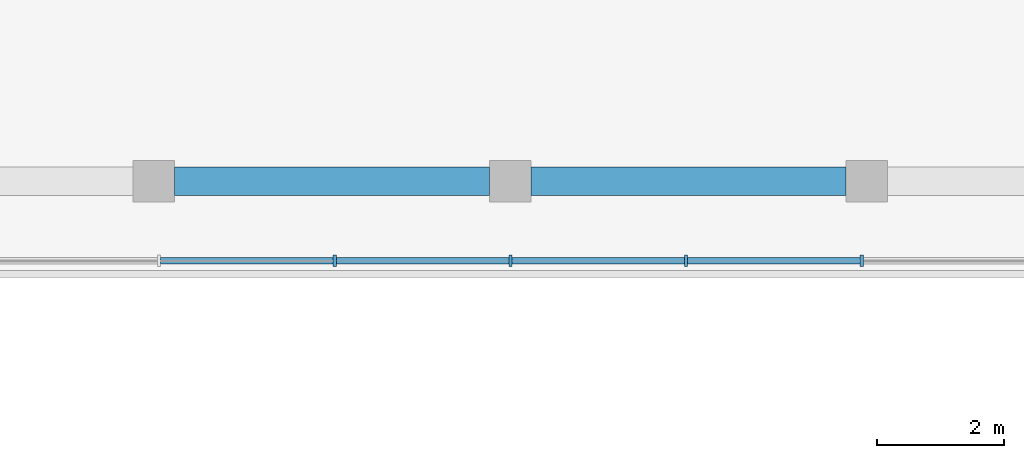
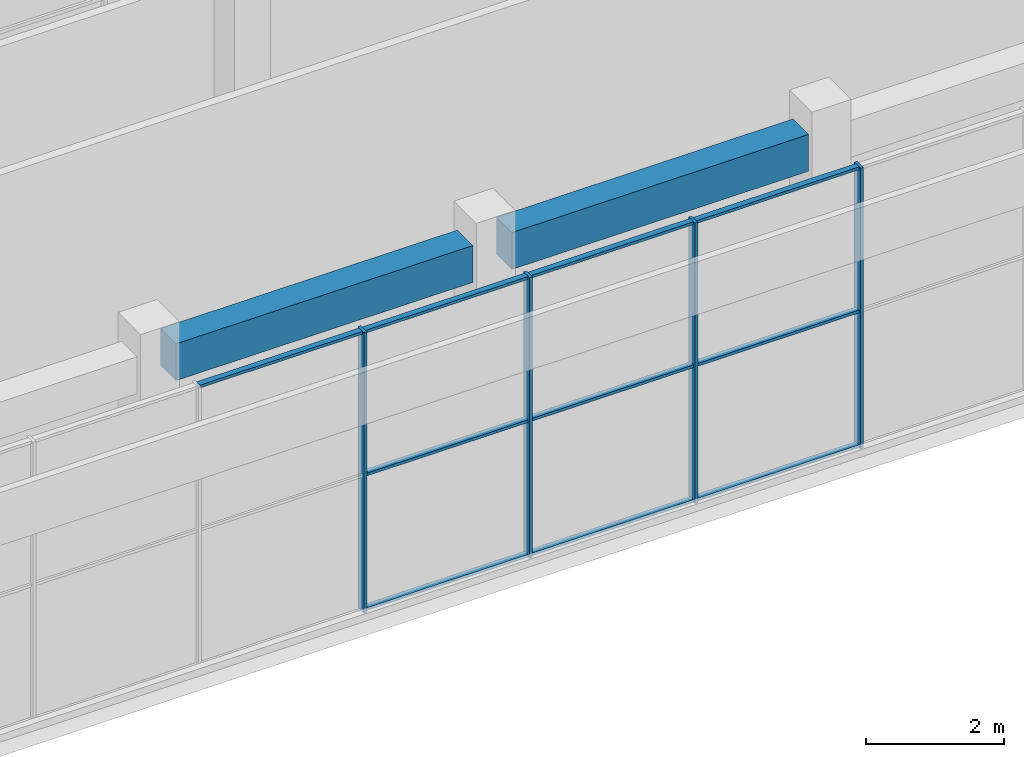
# One storey, part 5 of 24: 14 members, 2 beams, 1 element without a shape of its own.
"""IFC4 building model written with IfcOpenShell, lengths in metres."""

from ifc_helpers import new_model, si_unit, direction, frame, origin, origin_2d, place, context, subcontext, project, spatial, rectangle, extrude, material, layer, layer_set, material_profile, profile_set, type_object, element, aggregate, save


model = new_model("IFC4")

# Units and contexts
model_context = context("Model", 3, precision=1e-05, world=origin(), true_north=direction((0.0, 1.0)))
body_context = subcontext(model_context, "Body", "Model", "MODEL_VIEW")
ifc_project = project(units=[si_unit("LENGTHUNIT", "METRE"), si_unit("AREAUNIT", "SQUARE_METRE"), si_unit("VOLUMEUNIT", "CUBIC_METRE"), si_unit("PLANEANGLEUNIT", "RADIAN"), si_unit("MASSUNIT", "GRAM", prefix="KILO")], contexts=[model_context])

# Site, building, storey
site_placement = place(None, origin())
site = spatial("IfcSite", under=ifc_project, at=site_placement, CompositionType="ELEMENT")
building_placement = place(site_placement, origin())
building = spatial("IfcBuilding", under=site, at=building_placement, Name="Kiln Ring Residences", CompositionType="ELEMENT")
storey_placement = place(building_placement, frame((0.0, 0.0, 283.699951171875)))
storey = spatial("IfcBuildingStorey", under=building, at=storey_placement, Name="L74", CompositionType="ELEMENT", Elevation=283.699951171875)

# Curtain wall, members
ifc_material_1 = material(Name="Aluminium and glass", Category="aluminium")
ifc_layer = layer(ifc_material_1, 0.179931640625)
ifc_layer_set = layer_set([ifc_layer], Name="CW3 CURTAIN WALL")
curtain_wall_type = type_object("IfcCurtainWallType", Name="CW3 CURTAIN WALL", PredefinedType="NOTDEFINED", material=ifc_layer_set)
curtain_wall_placement = place(storey_placement, origin())
curtain_wall = element("IfcCurtainWall", 1, at=curtain_wall_placement, inside=storey, type_object=curtain_wall_type, Name="Curtain wall CW3 L74", PredefinedType="NOTDEFINED")
ifc_material_2 = material(Name="Aluminium 6063-T6", Category="aluminium")
ifc_material_profile_1 = material_profile(ifc_material_2, rectangle(XDim=0.179931640625, YDim=0.050048828125, at=origin_2d()), Name="AL 180x50")
ifc_profile_set_1 = profile_set([ifc_material_profile_1], Name="Aluminium 6063-T6")
member_type_1 = type_object("IfcMemberType", Name="CW3 MULLION 180 x 50", PredefinedType="MULLION", material=ifc_profile_set_1)
member_1_placement = place(storey_placement, frame((-2.760009765625, 7.14990234375, 0.0), z_axis=(0.0, 0.0, 1.0), x_axis=(0.0, 1.0, 0.0)))
member_1 = element("IfcMember", 2, at=member_1_placement, type_object=member_type_1, Name="CW3 mullion 5", PredefinedType="MULLION", context=body_context, shape_type="SweptSolid", body=[
    extrude(rectangle(XDim=0.179931640625, YDim=0.050048828125, at=origin_2d()), origin(), (0.0, 0.0, 1.0), 4.949951171875),
])
member_2_placement = place(storey_placement, frame((0.0, 7.14990234375, 0.0), z_axis=(0.0, 0.0, 1.0), x_axis=(0.0, 1.0, 0.0)))
member_2 = element("IfcMember", 3, at=member_2_placement, type_object=member_type_1, Name="CW3 mullion 6", PredefinedType="MULLION", context=body_context, shape_type="SweptSolid", body=[
    extrude(rectangle(XDim=0.179931640625, YDim=0.050048828125, at=origin_2d()), origin(), (0.0, 0.0, 1.0), 4.949951171875),
])
member_3_placement = place(storey_placement, frame((2.760009765625, 7.14990234375, 0.0), z_axis=(0.0, 0.0, 1.0), x_axis=(0.0, 1.0, 0.0)))
member_3 = element("IfcMember", 4, at=member_3_placement, type_object=member_type_1, Name="CW3 mullion 7", PredefinedType="MULLION", context=body_context, shape_type="SweptSolid", body=[
    extrude(rectangle(XDim=0.179931640625, YDim=0.050048828125, at=origin_2d()), origin(), (0.0, 0.0, 1.0), 4.949951171875),
])
member_4_placement = place(storey_placement, frame((5.52001953125, 7.14990234375, 0.0), z_axis=(0.0, 0.0, 1.0), x_axis=(0.0, 1.0, 0.0)))
member_4 = element("IfcMember", 5, at=member_4_placement, type_object=member_type_1, Name="CW3 mullion 8", PredefinedType="MULLION", context=body_context, shape_type="SweptSolid", body=[
    extrude(rectangle(XDim=0.179931640625, YDim=0.050048828125, at=origin_2d()), origin(), (0.0, 0.0, 1.0), 4.949951171875),
])
ifc_material_3 = material(Name="Aluminium 6063-T6", Category="aluminium")
ifc_material_profile_2 = material_profile(ifc_material_3, rectangle(XDim=0.10009765625, YDim=0.050048828125, at=origin_2d()), Name="AL 100x50")
ifc_profile_set_2 = profile_set([ifc_material_profile_2], Name="Aluminium 6063-T6")
member_type_2 = type_object("IfcMemberType", Name="CW3 TRANSOM 100 x 50", PredefinedType="USERDEFINED", material=ifc_profile_set_2)
member_5_placement = place(storey_placement, frame((-5.4951171875, 7.14990234375, 4.925048828125), z_axis=(1.0, 0.0, 0.0), x_axis=(0.0, 1.0, 0.0)))
member_5 = element("IfcMember", 6, at=member_5_placement, type_object=member_type_2, Name="CW3 transom 4.3", ObjectType="TRANSOM", PredefinedType="USERDEFINED", context=body_context, shape_type="SweptSolid", body=[
    extrude(rectangle(XDim=0.10009765625, YDim=0.050048828125, at=origin_2d()), origin(), (0.0, 0.0, 1.0), 2.710205078125),
])
member_6_placement = place(storey_placement, frame((-2.735107421875, 7.14990234375, 0.025146484375), z_axis=(1.0, 0.0, 0.0), x_axis=(0.0, 1.0, 0.0)))
member_6 = element("IfcMember", 7, at=member_6_placement, type_object=member_type_2, Name="CW3 transom 5.1", ObjectType="TRANSOM", PredefinedType="USERDEFINED", context=body_context, shape_type="SweptSolid", body=[
    extrude(rectangle(XDim=0.10009765625, YDim=0.050048828125, at=origin_2d()), origin(), (0.0, 0.0, 1.0), 2.710205078125),
])
member_7_placement = place(storey_placement, frame((-2.735107421875, 7.14990234375, 2.400146484375), z_axis=(1.0, 0.0, 0.0), x_axis=(0.0, 1.0, 0.0)))
member_7 = element("IfcMember", 8, at=member_7_placement, type_object=member_type_2, Name="CW3 transom 5.2", ObjectType="TRANSOM", PredefinedType="USERDEFINED", context=body_context, shape_type="SweptSolid", body=[
    extrude(rectangle(XDim=0.10009765625, YDim=0.050048828125, at=origin_2d()), origin(), (0.0, 0.0, 1.0), 2.710205078125),
])
member_8_placement = place(storey_placement, frame((-2.735107421875, 7.14990234375, 4.925048828125), z_axis=(1.0, 0.0, 0.0), x_axis=(0.0, 1.0, 0.0)))
member_8 = element("IfcMember", 9, at=member_8_placement, type_object=member_type_2, Name="CW3 transom 5.3", ObjectType="TRANSOM", PredefinedType="USERDEFINED", context=body_context, shape_type="SweptSolid", body=[
    extrude(rectangle(XDim=0.10009765625, YDim=0.050048828125, at=origin_2d()), origin(), (0.0, 0.0, 1.0), 2.710205078125),
])
member_9_placement = place(storey_placement, frame((0.02490234375, 7.14990234375, 0.025146484375), z_axis=(1.0, 0.0, 0.0), x_axis=(0.0, 1.0, 0.0)))
member_9 = element("IfcMember", 10, at=member_9_placement, type_object=member_type_2, Name="CW3 transom 6.1", ObjectType="TRANSOM", PredefinedType="USERDEFINED", context=body_context, shape_type="SweptSolid", body=[
    extrude(rectangle(XDim=0.10009765625, YDim=0.050048828125, at=origin_2d()), origin(), (0.0, 0.0, 1.0), 2.710205078125),
])
member_10_placement = place(storey_placement, frame((0.02490234375, 7.14990234375, 2.400146484375), z_axis=(1.0, 0.0, 0.0), x_axis=(0.0, 1.0, 0.0)))
member_10 = element("IfcMember", 11, at=member_10_placement, type_object=member_type_2, Name="CW3 transom 6.2", ObjectType="TRANSOM", PredefinedType="USERDEFINED", context=body_context, shape_type="SweptSolid", body=[
    extrude(rectangle(XDim=0.10009765625, YDim=0.050048828125, at=origin_2d()), origin(), (0.0, 0.0, 1.0), 2.710205078125),
])
member_11_placement = place(storey_placement, frame((0.02490234375, 7.14990234375, 4.925048828125), z_axis=(1.0, 0.0, 0.0), x_axis=(0.0, 1.0, 0.0)))
member_11 = element("IfcMember", 12, at=member_11_placement, type_object=member_type_2, Name="CW3 transom 6.3", ObjectType="TRANSOM", PredefinedType="USERDEFINED", context=body_context, shape_type="SweptSolid", body=[
    extrude(rectangle(XDim=0.10009765625, YDim=0.050048828125, at=origin_2d()), origin(), (0.0, 0.0, 1.0), 2.710205078125),
])
member_12_placement = place(storey_placement, frame((2.784912109375, 7.14990234375, 0.025146484375), z_axis=(1.0, 0.0, 0.0), x_axis=(0.0, 1.0, 0.0)))
member_12 = element("IfcMember", 13, at=member_12_placement, type_object=member_type_2, Name="CW3 transom 7.1", ObjectType="TRANSOM", PredefinedType="USERDEFINED", context=body_context, shape_type="SweptSolid", body=[
    extrude(rectangle(XDim=0.10009765625, YDim=0.050048828125, at=origin_2d()), origin(), (0.0, 0.0, 1.0), 2.710205078125),
])
member_13_placement = place(storey_placement, frame((2.784912109375, 7.14990234375, 2.400146484375), z_axis=(1.0, 0.0, 0.0), x_axis=(0.0, 1.0, 0.0)))
member_13 = element("IfcMember", 14, at=member_13_placement, type_object=member_type_2, Name="CW3 transom 7.2", ObjectType="TRANSOM", PredefinedType="USERDEFINED", context=body_context, shape_type="SweptSolid", body=[
    extrude(rectangle(XDim=0.10009765625, YDim=0.050048828125, at=origin_2d()), origin(), (0.0, 0.0, 1.0), 2.710205078125),
])
member_14_placement = place(storey_placement, frame((2.784912109375, 7.14990234375, 4.925048828125), z_axis=(1.0, 0.0, 0.0), x_axis=(0.0, 1.0, 0.0)))
member_14 = element("IfcMember", 15, at=member_14_placement, type_object=member_type_2, Name="CW3 transom 7.3", ObjectType="TRANSOM", PredefinedType="USERDEFINED", context=body_context, shape_type="SweptSolid", body=[
    extrude(rectangle(XDim=0.10009765625, YDim=0.050048828125, at=origin_2d()), origin(), (0.0, 0.0, 1.0), 2.710205078125),
])
aggregate(curtain_wall, [member_1, member_2, member_3, member_4, member_5, member_6, member_7, member_8, member_9, member_10, member_11, member_12, member_13, member_14])

# Beams
ifc_material_4 = material(Name="Concrete C50/60", Category="concrete")
ifc_material_profile_3 = material_profile(ifc_material_4, rectangle(XDim=0.449951171875, YDim=0.64990234375, at=origin_2d()), Name="RC450x650")
ifc_profile_set_3 = profile_set([ifc_material_profile_3], Name="Concrete C50/60")
beam_type = type_object("IfcBeamType", Name="Ring beam RC450x650 C50/60", PredefinedType="BEAM", material=ifc_profile_set_3)
for number, where, z_axis, x_axis, name in (
    (16, (-5.27490234375, 8.39990234375, 4.625), (1.0, 0.0, 0.0), (0.0, 1.0, 0.0), "Ring beam L74 6"),
    (17, (0.324951171875, 8.39990234375, 4.625), (1.0, 0.0, 0.0), (0.0, 1.0, 0.0), "Ring beam L74 7"),
):
    element("IfcBeam", number, at=place(storey_placement, frame(where, z_axis=z_axis, x_axis=x_axis)), inside=storey, type_object=beam_type, Name=name, PredefinedType="BEAM", context=body_context, shape_type="SweptSolid", body=[
        extrude(rectangle(XDim=0.449951171875, YDim=0.64990234375, at=origin_2d()), origin(), (0.0, 0.0, 1.0), 4.949951171875),
    ])

save(model, "model.ifc")
